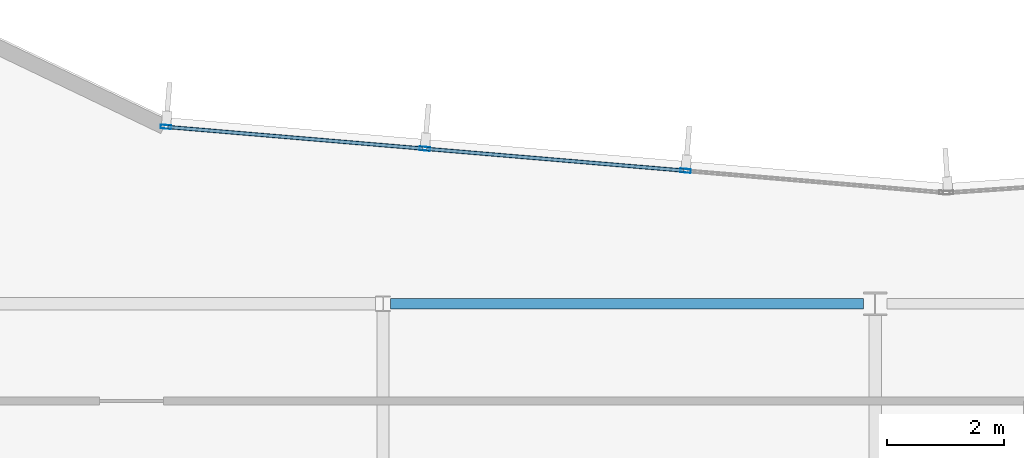
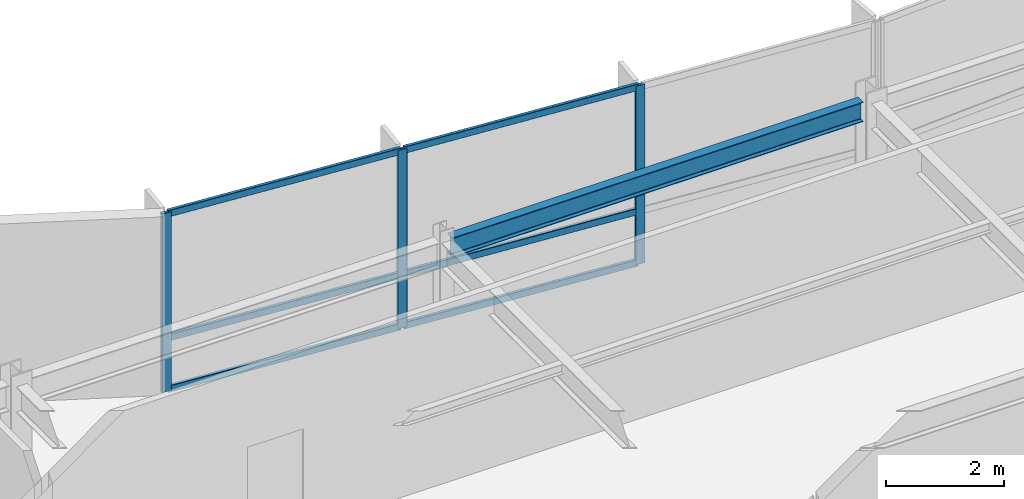
# One storey, part 5 of 15: 9 members, 1 beam, 1 element without a shape of its own.
"""IFC4 building model written with IfcOpenShell, lengths in metres."""

from ifc_helpers import new_model, si_unit, direction, frame, origin, origin_2d, place, context, subcontext, project, spatial, hollow_rectangle, i_section, extrude, material, layer, layer_set, material_profile, profile_set, type_object, element, aggregate, save


model = new_model("IFC4")

# Units and contexts
model_context = context("Model", 3, precision=1e-05, world=origin(), true_north=direction((0.0, 1.0)))
body_context = subcontext(model_context, "Body", "Model", "MODEL_VIEW")
ifc_project = project(units=[si_unit("LENGTHUNIT", "METRE"), si_unit("AREAUNIT", "SQUARE_METRE"), si_unit("VOLUMEUNIT", "CUBIC_METRE"), si_unit("PLANEANGLEUNIT", "RADIAN"), si_unit("MASSUNIT", "GRAM", prefix="KILO")], contexts=[model_context])

# Site, building, storey
site_placement = place(None, origin())
site = spatial("IfcSite", under=ifc_project, at=site_placement, CompositionType="ELEMENT")
building_placement = place(site_placement, origin())
building = spatial("IfcBuilding", under=site, at=building_placement, Name="Varnakote Quay Hospital", CompositionType="ELEMENT")
storey_placement = place(building_placement, frame((0.0, 0.0, 196.050048828125)))
storey = spatial("IfcBuildingStorey", under=building, at=storey_placement, Name="L48", CompositionType="ELEMENT", Elevation=196.050048828125)

# Curtain wall, members
ifc_material_1 = material(Name="Anodised aluminium 6063-T6 Bronze", Category="aluminium")
ifc_layer = layer(ifc_material_1, 0.219970703125)
ifc_layer_set = layer_set([ifc_layer], Name="Anodised aluminium 6063-T6 Bronze")
curtain_wall_type = type_object("IfcCurtainWallType", Name="CW-SYS-4", PredefinedType="NOTDEFINED", material=ifc_layer_set)
curtain_wall_placement = place(storey_placement, origin())
curtain_wall = element("IfcCurtainWall", 1, at=curtain_wall_placement, inside=storey, type_object=curtain_wall_type, Name="L48 Unitised Bronze Curtain Wall 2", PredefinedType="NOTDEFINED")
ifc_material_2 = material(Name="Anodised aluminium 6063-T6 Bronze", Category="aluminium")
ifc_material_profile_1 = material_profile(ifc_material_2, hollow_rectangle(XDim=0.06494140625, YDim=0.179931640625, WallThickness=0.00390625, InnerFilletRadius=0.00390625, OuterFilletRadius=0.008056640625, at=origin_2d()), Name="CW-MULL-180x65")
ifc_profile_set_1 = profile_set([ifc_material_profile_1], Name="Anodised aluminium 6063-T6 Bronze")
member_type_1 = type_object("IfcMemberType", Name="CW-MULL-180x65", PredefinedType="MULLION", material=ifc_profile_set_1)
member_1_placement = place(storey_placement, frame((30.363525390625, 31.0712890625, 0.0), z_axis=(0.0, 0.0, 1.0), x_axis=(-0.084136040089, -0.996454277304, 0.0)))
member_1 = element("IfcMember", 2, at=member_1_placement, type_object=member_type_1, Name="-4-L48-2 mullion 2", PredefinedType="MULLION", context=body_context, shape_type="SweptSolid", body=[
    extrude(hollow_rectangle(XDim=0.06494140625, YDim=0.179931640625, WallThickness=0.00390625, InnerFilletRadius=0.00390625, OuterFilletRadius=0.008056640625, at=origin_2d()), origin(), (0.0, 0.0, 1.0), 3.7099609375),
])
member_2_placement = place(storey_placement, frame((25.912353515625, 31.447265625, 0.0), z_axis=(0.0, 0.0, 1.0), x_axis=(-0.084136040089, -0.996454277304, 0.0)))
member_2 = element("IfcMember", 3, at=member_2_placement, type_object=member_type_1, Name="-4-L48-2 mullion 3", PredefinedType="MULLION", context=body_context, shape_type="SweptSolid", body=[
    extrude(hollow_rectangle(XDim=0.06494140625, YDim=0.179931640625, WallThickness=0.00390625, InnerFilletRadius=0.00390625, OuterFilletRadius=0.008056640625, at=origin_2d()), origin(), (0.0, 0.0, 1.0), 3.7099609375),
])
member_3_placement = place(storey_placement, frame((21.49365234375, 31.8203125, 0.0), z_axis=(0.0, 0.0, 1.0), x_axis=(-0.084136040089, -0.996454277304, 0.0)))
member_3 = element("IfcMember", 4, at=member_3_placement, type_object=member_type_1, Name="-4-L48-2 mullion 4", PredefinedType="MULLION", context=body_context, shape_type="SweptSolid", body=[
    extrude(hollow_rectangle(XDim=0.06494140625, YDim=0.179931640625, WallThickness=0.00390625, InnerFilletRadius=0.00390625, OuterFilletRadius=0.008056640625, at=origin_2d()), origin(), (0.0, 0.0, 1.0), 3.7099609375),
])
ifc_material_3 = material(Name="Anodised aluminium 6063-T6 Bronze", Category="aluminium")
ifc_material_profile_2 = material_profile(ifc_material_3, hollow_rectangle(XDim=0.06494140625, YDim=0.139892578125, WallThickness=0.00390625, InnerFilletRadius=0.00390625, OuterFilletRadius=0.007568359375, at=origin_2d()), Name="CW-TRAN-140x65")
ifc_profile_set_2 = profile_set([ifc_material_profile_2], Name="Anodised aluminium 6063-T6 Bronze")
member_type_2 = type_object("IfcMemberType", Name="CW-TRAN-140x65", PredefinedType="USERDEFINED", material=ifc_profile_set_2)
member_4_placement = place(storey_placement, frame((30.331298828125, 31.073974609375, 0.032470703125), z_axis=(-0.996454515714, 0.084133216471, 0.0), x_axis=(-0.084133216471, -0.996454515714, 0.0)))
member_4 = element("IfcMember", 5, at=member_4_placement, type_object=member_type_2, Name="-4-L48-2 transom 2.1", ObjectType="TRANSOM", PredefinedType="USERDEFINED", context=body_context, shape_type="SweptSolid", body=[
    extrude(hollow_rectangle(XDim=0.06494140625, YDim=0.139892578125, WallThickness=0.00390625, InnerFilletRadius=0.00390625, OuterFilletRadius=0.007568359375, at=origin_2d()), origin(), (0.0, 0.0, 1.0), 4.402099609375),
])
member_5_placement = place(storey_placement, frame((30.331298828125, 31.073974609375, 1.099853515625), z_axis=(-0.996454515714, 0.084133216471, 0.0), x_axis=(-0.084133216471, -0.996454515714, 0.0)))
member_5 = element("IfcMember", 6, at=member_5_placement, type_object=member_type_2, Name="-4-L48-2 transom 2.2", ObjectType="TRANSOM", PredefinedType="USERDEFINED", context=body_context, shape_type="SweptSolid", body=[
    extrude(hollow_rectangle(XDim=0.06494140625, YDim=0.139892578125, WallThickness=0.00390625, InnerFilletRadius=0.00390625, OuterFilletRadius=0.007568359375, at=origin_2d()), origin(), (0.0, 0.0, 1.0), 4.402099609375),
])
member_6_placement = place(storey_placement, frame((30.331298828125, 31.073974609375, 3.677490234375), z_axis=(-0.996454515714, 0.084133216471, 0.0), x_axis=(-0.084133216471, -0.996454515714, 0.0)))
member_6 = element("IfcMember", 7, at=member_6_placement, type_object=member_type_2, Name="-4-L48-2 transom 2.3", ObjectType="TRANSOM", PredefinedType="USERDEFINED", context=body_context, shape_type="SweptSolid", body=[
    extrude(hollow_rectangle(XDim=0.06494140625, YDim=0.139892578125, WallThickness=0.00390625, InnerFilletRadius=0.00390625, OuterFilletRadius=0.007568359375, at=origin_2d()), origin(), (0.0, 0.0, 1.0), 4.402099609375),
])
member_7_placement = place(storey_placement, frame((25.880126953125, 31.449951171875, 0.032470703125), z_axis=(-0.996453440464, 0.084145950507, 0.0), x_axis=(-0.084145950507, -0.996453440464, 0.0)))
member_7 = element("IfcMember", 8, at=member_7_placement, type_object=member_type_2, Name="-4-L48-2 transom 3.1", ObjectType="TRANSOM", PredefinedType="USERDEFINED", context=body_context, shape_type="SweptSolid", body=[
    extrude(hollow_rectangle(XDim=0.06494140625, YDim=0.139892578125, WallThickness=0.00390625, InnerFilletRadius=0.00390625, OuterFilletRadius=0.007568359375, at=origin_2d()), origin(), (0.0, 0.0, 1.0), 4.369384765625),
])
member_8_placement = place(storey_placement, frame((25.880126953125, 31.449951171875, 1.099853515625), z_axis=(-0.996453440464, 0.084145950507, 0.0), x_axis=(-0.084145950507, -0.996453440464, 0.0)))
member_8 = element("IfcMember", 9, at=member_8_placement, type_object=member_type_2, Name="-4-L48-2 transom 3.2", ObjectType="TRANSOM", PredefinedType="USERDEFINED", context=body_context, shape_type="SweptSolid", body=[
    extrude(hollow_rectangle(XDim=0.06494140625, YDim=0.139892578125, WallThickness=0.00390625, InnerFilletRadius=0.00390625, OuterFilletRadius=0.007568359375, at=origin_2d()), origin(), (0.0, 0.0, 1.0), 4.369384765625),
])
member_9_placement = place(storey_placement, frame((25.880126953125, 31.449951171875, 3.677490234375), z_axis=(-0.996453440464, 0.084145950507, 0.0), x_axis=(-0.084145950507, -0.996453440464, 0.0)))
member_9 = element("IfcMember", 10, at=member_9_placement, type_object=member_type_2, Name="-4-L48-2 transom 3.3", ObjectType="TRANSOM", PredefinedType="USERDEFINED", context=body_context, shape_type="SweptSolid", body=[
    extrude(hollow_rectangle(XDim=0.06494140625, YDim=0.139892578125, WallThickness=0.00390625, InnerFilletRadius=0.00390625, OuterFilletRadius=0.007568359375, at=origin_2d()), origin(), (0.0, 0.0, 1.0), 4.369384765625),
])
aggregate(curtain_wall, [member_1, member_2, member_3, member_4, member_5, member_6, member_7, member_8, member_9])

# Beam
ifc_material_4 = material(Name="Structural steel AS/NZS 3679.1 Grade 350 L0 (fy 340 MPa)", Category="steel")
ifc_material_profile_3 = material_profile(ifc_material_4, i_section(OverallWidth=0.177978515625, OverallDepth=0.406005859375, WebThickness=0.0078125, FlangeThickness=0.0126953125, FilletRadius=0.011474609375, at=origin_2d()), Name="410UB59.7")
ifc_profile_set_3 = profile_set([ifc_material_profile_3], Name="Structural steel AS/NZS 3679.1 Grade 350 L0 (fy 340 MPa)")
beam_type = type_object("IfcBeamType", Name="SPN-STL-410UB59-7", PredefinedType="SPANDREL", material=ifc_profile_set_3)
beam_placement = place(storey_placement, frame((25.327880859375, 28.800048828125, 3.5068359375), z_axis=(1.0, 0.0, 0.0), x_axis=(0.0, 1.0, 0.0)))
element("IfcBeam", 11, at=beam_placement, inside=storey, type_object=beam_type, Name="L48 Perimeter Spandrel Beam", PredefinedType="SPANDREL", context=body_context, shape_type="SweptSolid", body=[
    extrude(i_section(OverallWidth=0.177978515625, OverallDepth=0.406005859375, WebThickness=0.0078125, FlangeThickness=0.0126953125, FilletRadius=0.011474609375, at=origin_2d()), origin(), (0.0, 0.0, 1.0), 8.072021484375),
])

save(model, "model.ifc")
